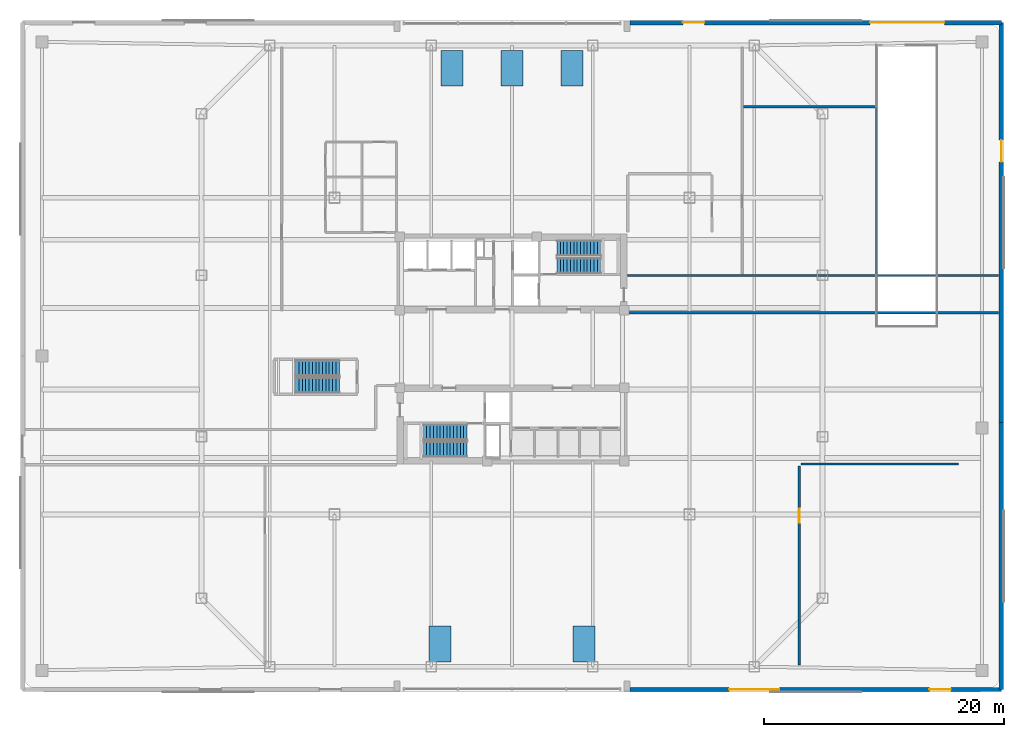
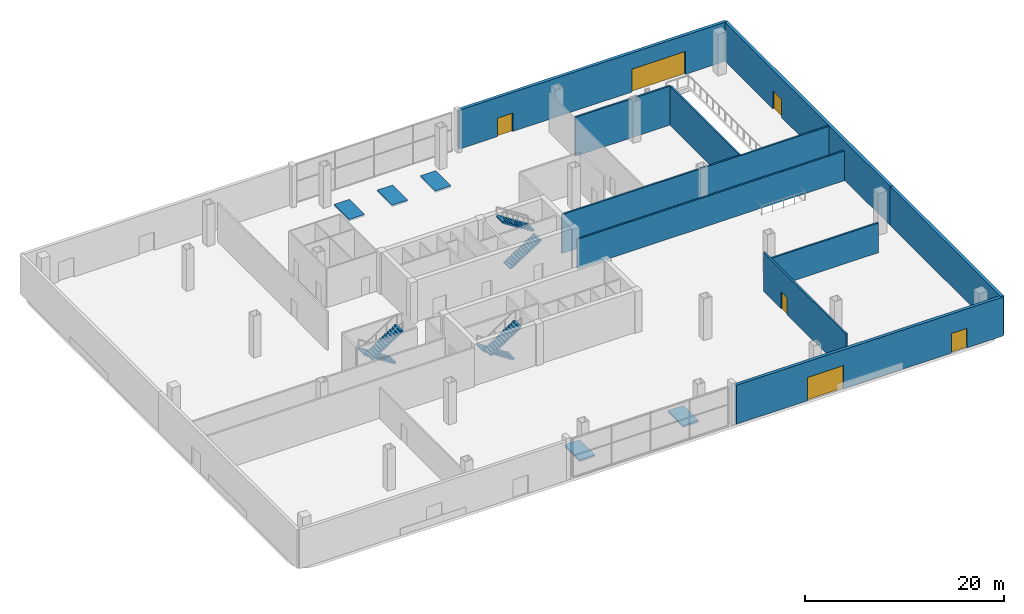
# One storey, part 14 of 21: 10 walls, 6 doors, 6 stair flights, 5 ramp flights, 6 openings, 8 elements without a shape of their own.
"""IFC4 building model written with IfcOpenShell, lengths in metres."""

from ifc_helpers import new_model, si_unit, direction, frame, frame_2d, origin, place, context, subcontext, project, spatial, polyline, rectangle, outline, extrude, material, layer, layer_set, type_object, element, fill, aggregate, save


model = new_model("IFC4")

# Units and contexts
model_context = context("Model", 3, precision=1e-05, world=origin(), true_north=direction((0.0, 1.0)))
body_context = subcontext(model_context, "Body", "Model", "MODEL_VIEW")
ifc_project = project(units=[si_unit("LENGTHUNIT", "METRE"), si_unit("AREAUNIT", "SQUARE_METRE"), si_unit("VOLUMEUNIT", "CUBIC_METRE"), si_unit("PLANEANGLEUNIT", "RADIAN"), si_unit("MASSUNIT", "GRAM", prefix="KILO")], contexts=[model_context])

# Site, building, storey
site_placement = place(None, origin())
site = spatial("IfcSite", under=ifc_project, at=site_placement, CompositionType="ELEMENT")
building_placement = place(site_placement, origin())
building = spatial("IfcBuilding", under=site, at=building_placement, Name="Qhalaya Broadcast Tower", CompositionType="ELEMENT")
storey_placement = place(building_placement, origin())
storey = spatial("IfcBuildingStorey", under=building, at=storey_placement, Name="L00", CompositionType="ELEMENT", Elevation=0.0)

# Walls
ifc_material_1 = material(Name="Gypsum Acoustic Partition")
ifc_layer_1 = layer(ifc_material_1, 0.199951171875, Name="Gypsum Acoustic Partition")
ifc_layer_set_1 = layer_set([ifc_layer_1], Name="Gypsum Acoustic Partition")
wall_type_1 = type_object("IfcWallType", Name="Firefighting Lobby & Stair Enclosure Wall 200", PredefinedType="PARTITIONING", material=ifc_layer_set_1)
wall_1_placement = place(storey_placement, frame((9.639892578125, 6.719970703125, 0.0), z_axis=(0.0, 0.0, 1.0), x_axis=(1.0, 0.0, 0.0)))
element("IfcWall", 1, at=wall_1_placement, inside=storey, type_object=wall_type_1, Name="L00 Partition Wall W-EP1N", PredefinedType="PARTITIONING", context=body_context, shape_type="SweptSolid", body=[
    extrude(rectangle(XDim=30.920166015625, YDim=0.199951171875, at=frame_2d((15.4599609375, 0.0))), origin(), (0.0, 0.0, 1.0), 4.780029296875),
])
wall_2_placement = place(storey_placement, frame((40.56005859375, 3.6201171875, 0.0), z_axis=(0.0, 0.0, 1.0), x_axis=(-1.0, 0.0, 0.0)))
element("IfcWall", 2, at=wall_2_placement, inside=storey, type_object=wall_type_1, Name="L00 Partition Wall W-EP1S", PredefinedType="PARTITIONING", context=body_context, shape_type="SweptSolid", body=[
    extrude(rectangle(XDim=30.920166015625, YDim=0.199951171875, at=frame_2d((15.4599609375, 0.0))), origin(), (0.0, 0.0, 1.0), 3.64208984375),
])

# Wall, opening, door
wall_3_placement = place(storey_placement, frame((23.949951171875, -25.739990234375, 0.0), z_axis=(0.0, 0.0, 1.0), x_axis=(0.0, 1.0, 0.0)))
wall_3 = element("IfcWall", 3, at=wall_3_placement, inside=storey, type_object=wall_type_1, Name="L00 Partition Wall W-DCKW", PredefinedType="PARTITIONING", context=body_context, shape_type="SweptSolid", body=[
    extrude(rectangle(XDim=16.580078125, YDim=0.199951171875, at=frame_2d((8.2900390625, 0.0))), origin(), (0.0, 0.0, 1.0), 4.780029296875),
])
opening_1_placement = place(wall_3_placement, frame((11.860107421875, 0.0, 0.0)))
opening_1 = element("IfcOpeningElement", 4, at=opening_1_placement, cuts=wall_3, Name="Opening D05", PredefinedType="OPENING", context=body_context, shape_type="SweptSolid", body=[
    extrude(rectangle(XDim=1.14990234375, YDim=2.10009765625, at=frame_2d((0.574951171875, 1.050048828125))), frame((0.0, 0.112060546875, 0.0), z_axis=(0.0, -1.0, 0.0), x_axis=(1.0, 0.0, 0.0)), (0.0, 0.0, 1.0), 0.223876953125),
])
ifc_material_2 = material(Name="Fire-Rated Steel Door", Category="steel")
door_type_1 = type_object("IfcDoorType", Name="Refuge & Plant Room Fire Door D05", OperationType="NOTDEFINED", PredefinedType="DOOR", material=ifc_material_2)
door_1_placement = place(opening_1_placement, origin())
door_1 = element("IfcDoor", 5, at=door_1_placement, inside=storey, type_object=door_type_1, Name="L00 Door D-DCK", OperationType="SINGLE_SWING_LEFT", OverallHeight=2.10009765625, OverallWidth=1.14990234375, PredefinedType="DOOR", context=body_context, shape_type="SweptSolid", body=[
    extrude(rectangle(XDim=1.14990234375, YDim=2.10009765625, at=frame_2d((0.574951171875, 1.050048828125))), frame((0.0, 0.02490234375, 0.0), z_axis=(0.0, -1.0, 0.0), x_axis=(1.0, 0.0, 0.0)), (0.0, 0.0, 1.0), 0.050048828125),
])
fill(opening_1, door_1)

# Walls
wall_4_placement = place(storey_placement, frame((24.110107421875, -9.0, 0.0), z_axis=(0.0, 0.0, 1.0), x_axis=(1.0, 0.0, 0.0)))
element("IfcWall", 6, at=wall_4_placement, inside=storey, type_object=wall_type_1, Name="L00 Partition Wall W-DCKN", PredefinedType="PARTITIONING", context=body_context, shape_type="SweptSolid", body=[
    extrude(rectangle(XDim=13.1298828125, YDim=0.199951171875, at=frame_2d((6.56494140625, 0.0))), origin(), (0.0, 0.0, 1.0), 3.64208984375),
])
wall_5_placement = place(storey_placement, frame((30.35009765625, 6.840087890625, 0.0), z_axis=(0.0, 0.0, 1.0), x_axis=(0.0, 1.0, 0.0)))
element("IfcWall", 7, at=wall_5_placement, inside=storey, type_object=wall_type_1, Name="L00 Partition Wall W-RMPS", PredefinedType="PARTITIONING", context=body_context, shape_type="SweptSolid", body=[
    extrude(rectangle(XDim=13.89990234375, YDim=0.199951171875, at=frame_2d((6.949951171875, 0.0))), origin(), (0.0, 0.0, 1.0), 4.780029296875),
])
wall_6_placement = place(storey_placement, frame((19.31005859375, 20.800048828125, 0.0), z_axis=(0.0, 0.0, 1.0), x_axis=(1.0, 0.0, 0.0)))
element("IfcWall", 8, at=wall_6_placement, inside=storey, type_object=wall_type_1, Name="L00 Partition Wall W-RMPN", PredefinedType="PARTITIONING", context=body_context, shape_type="SweptSolid", body=[
    extrude(rectangle(XDim=10.97998046875, YDim=0.199951171875, at=frame_2d((5.489990234375, 0.0))), origin(), (0.0, 0.0, 1.0), 4.780029296875),
])

# Wall, openings, doors
ifc_material_3 = material(Name="Precast Concrete C40/50", Category="concrete")
ifc_layer_2 = layer(ifc_material_3, 0.360107421875, Name="Precast Concrete C40/50")
ifc_layer_set_2 = layer_set([ifc_layer_2], Name="Precast Concrete C40/50")
wall_type_2 = type_object("IfcWallType", Name="Insulated Precast Terracotta Exterior Wall 360", PredefinedType="SOLIDWALL", material=ifc_layer_set_2)
wall_7_placement = place(storey_placement, frame((40.800048828125, -27.800048828125, 0.0), z_axis=(0.0, 0.0, 1.0), x_axis=(-1.0, 0.0, 0.0)))
wall_7 = element("IfcWall", 9, at=wall_7_placement, inside=storey, type_object=wall_type_2, Name="L00 Podium Exterior Terracotta Wall EW-SE", PredefinedType="SOLIDWALL", context=body_context, shape_type="SweptSolid", body=[
    extrude(rectangle(XDim=30.9599609375, YDim=0.360107421875, at=frame_2d((15.47998046875, 0.0))), origin(), (0.0, 0.0, 1.0), 4.780029296875),
])
opening_2_placement = place(wall_7_placement, frame((4.199951171875, 0.0, 0.0)))
opening_2 = element("IfcOpeningElement", 10, at=opening_2_placement, cuts=wall_7, Name="Opening D01", PredefinedType="OPENING", context=body_context, shape_type="SweptSolid", body=[
    extrude(rectangle(XDim=1.800048828125, YDim=2.39990234375, at=frame_2d((0.89990234375, 1.199951171875))), frame((0.0, 0.192138671875, 0.0), z_axis=(0.0, -1.0, 0.0), x_axis=(1.0, 0.0, 0.0)), (0.0, 0.0, 1.0), 0.384033203125),
])
opening_3_placement = place(wall_7_placement, frame((18.5, 0.0, 0.0)))
opening_3 = element("IfcOpeningElement", 11, at=opening_3_placement, cuts=wall_7, Name="Opening LDK-01", PredefinedType="OPENING", context=body_context, shape_type="SweptSolid", body=[
    extrude(rectangle(XDim=4.199951171875, YDim=2.85009765625, at=frame_2d((2.10009765625, 1.425048828125))), frame((0.0, 0.192138671875, 0.0), z_axis=(0.0, -1.0, 0.0), x_axis=(1.0, 0.0, 0.0)), (0.0, 0.0, 1.0), 0.384033203125),
])
ifc_material_4 = material(Name="Anodised Aluminium Glazed Door", Category="aluminium")
door_type_2 = type_object("IfcDoorType", Name="Concourse Revolving & Double Entrance Door D01", OperationType="DOUBLE_DOOR_SINGLE_SWING", PredefinedType="DOOR", material=ifc_material_4)
door_2_placement = place(opening_2_placement, origin())
door_2 = element("IfcDoor", 12, at=door_2_placement, inside=storey, type_object=door_type_2, Name="Ground Pedestrian Concourse Entrance ED-03", OperationType="DOUBLE_DOOR_SINGLE_SWING", OverallHeight=2.39990234375, OverallWidth=1.800048828125, PredefinedType="DOOR", context=body_context, shape_type="SweptSolid", body=[
    extrude(rectangle(XDim=1.800048828125, YDim=2.39990234375, at=frame_2d((0.89990234375, 1.199951171875))), frame((0.0, 0.02490234375, 0.0), z_axis=(0.0, -1.0, 0.0), x_axis=(1.0, 0.0, 0.0)), (0.0, 0.0, 1.0), 0.050048828125),
])
fill(opening_2, door_2)
ifc_material_5 = material(Name="Powder-Coated Galvanised Steel Gate", Category="steel")
door_type_3 = type_object("IfcDoorType", Name="Loading Dock Insulated Roller Gate LDK-01", OperationType="ROLLINGUP", PredefinedType="GATE", material=ifc_material_5)
door_3_placement = place(opening_3_placement, origin())
door_3 = element("IfcDoor", 13, at=door_3_placement, inside=storey, type_object=door_type_3, Name="Broadcast Loading Dock Roller Shutter Gate LDK-01", OperationType="ROLLINGUP", OverallHeight=2.85009765625, OverallWidth=4.199951171875, PredefinedType="GATE", context=body_context, shape_type="SweptSolid", body=[
    extrude(rectangle(XDim=4.199951171875, YDim=2.85009765625, at=frame_2d((2.10009765625, 1.425048828125))), frame((0.0, 0.02490234375, 0.0), z_axis=(0.0, -1.0, 0.0), x_axis=(1.0, 0.0, 0.0)), (0.0, 0.0, 1.0), 0.050048828125),
])
fill(opening_3, door_3)

wall_8_placement = place(storey_placement, frame((9.840087890625, 27.800048828125, 0.0), z_axis=(0.0, 0.0, 1.0), x_axis=(1.0, 0.0, 0.0)))
wall_8 = element("IfcWall", 14, at=wall_8_placement, inside=storey, type_object=wall_type_2, Name="L00 Podium Exterior Terracotta Wall EW-NE", PredefinedType="SOLIDWALL", context=body_context, shape_type="SweptSolid", body=[
    extrude(rectangle(XDim=30.9599609375, YDim=0.360107421875, at=frame_2d((15.47998046875, 0.0))), origin(), (0.0, 0.0, 1.0), 4.780029296875),
])
opening_4_placement = place(wall_8_placement, frame((20.010009765625, 0.0, 0.0)))
opening_4 = element("IfcOpeningElement", 15, at=opening_4_placement, cuts=wall_8, Name="Opening VD-01", PredefinedType="OPENING", context=body_context, shape_type="SweptSolid", body=[
    extrude(rectangle(XDim=6.199951171875, YDim=2.800048828125, at=frame_2d((3.10009765625, 1.39990234375))), frame((0.0, 0.192138671875, 0.0), z_axis=(0.0, -1.0, 0.0), x_axis=(1.0, 0.0, 0.0)), (0.0, 0.0, 1.0), 0.384033203125),
])
opening_5_placement = place(wall_8_placement, frame((4.409912109375, 0.0, 0.0)))
opening_5 = element("IfcOpeningElement", 16, at=opening_5_placement, cuts=wall_8, Name="Opening D02", PredefinedType="OPENING", context=body_context, shape_type="SweptSolid", body=[
    extrude(rectangle(XDim=1.800048828125, YDim=2.25, at=frame_2d((0.89990234375, 1.125))), frame((0.0, 0.192138671875, 0.0), z_axis=(0.0, -1.0, 0.0), x_axis=(1.0, 0.0, 0.0)), (0.0, 0.0, 1.0), 0.384033203125),
])
door_type_4 = type_object("IfcDoorType", Name="Car Park Ramp Exterior Security Gate VD-01", OperationType="ROLLINGUP", PredefinedType="GATE", material=ifc_material_5)
door_4_placement = place(opening_4_placement, origin())
door_4 = element("IfcDoor", 17, at=door_4_placement, inside=storey, type_object=door_type_4, Name="Car Park Vehicle Ramp Exterior Gate VD-01", OperationType="ROLLINGUP", OverallHeight=2.800048828125, OverallWidth=6.199951171875, PredefinedType="GATE", context=body_context, shape_type="SweptSolid", body=[
    extrude(rectangle(XDim=6.199951171875, YDim=2.800048828125, at=frame_2d((3.10009765625, 1.39990234375))), frame((0.0, 0.02490234375, 0.0), z_axis=(0.0, -1.0, 0.0), x_axis=(1.0, 0.0, 0.0)), (0.0, 0.0, 1.0), 0.050048828125),
])
fill(opening_4, door_4)
door_type_5 = type_object("IfcDoorType", Name="Ground Final Exit Double Fire Door D02", OperationType="DOUBLE_DOOR_SINGLE_SWING", PredefinedType="DOOR", material=ifc_material_2)
door_5_placement = place(opening_5_placement, origin())
door_5 = element("IfcDoor", 18, at=door_5_placement, inside=storey, type_object=door_type_5, Name="North Exit Passage Final Pedestrian Exit Door ED-06", OperationType="DOUBLE_DOOR_SINGLE_SWING", OverallHeight=2.25, OverallWidth=1.800048828125, PredefinedType="DOOR", context=body_context, shape_type="SweptSolid", body=[
    extrude(rectangle(XDim=1.800048828125, YDim=2.25, at=frame_2d((0.89990234375, 1.125))), frame((0.0, 0.02490234375, 0.0), z_axis=(0.0, -1.0, 0.0), x_axis=(1.0, 0.0, 0.0)), (0.0, 0.0, 1.0), 0.050048828125),
])
fill(opening_5, door_5)

# Wall
wall_9_placement = place(storey_placement, frame((40.800048828125, -5.550048828125, 0.0), z_axis=(0.0, 0.0, 1.0), x_axis=(0.0, -1.0, 0.0)))
element("IfcWall", 19, at=wall_9_placement, inside=storey, type_object=wall_type_2, Name="L00 Podium Exterior Terracotta Wall EW-ES", PredefinedType="SOLIDWALL", context=body_context, shape_type="SweptSolid", body=[
    extrude(rectangle(XDim=22.25, YDim=0.360107421875, at=frame_2d((11.125, 0.0))), origin(), (0.0, 0.0, 1.0), 4.780029296875),
])

# Wall, opening, door
wall_10_placement = place(storey_placement, frame((40.800048828125, 27.800048828125, 0.0), z_axis=(0.0, 0.0, 1.0), x_axis=(0.0, -1.0, 0.0)))
wall_10 = element("IfcWall", 20, at=wall_10_placement, inside=storey, type_object=wall_type_2, Name="L00 Podium Exterior Terracotta Wall EW-EN", PredefinedType="SOLIDWALL", context=body_context, shape_type="SweptSolid", body=[
    extrude(rectangle(XDim=33.35009765625, YDim=0.360107421875, at=frame_2d((16.675048828125, 0.0))), origin(), (0.0, 0.0, 1.0), 4.780029296875),
])
opening_6_placement = place(wall_10_placement, frame((9.800048828125, 0.0, 0.0)))
opening_6 = element("IfcOpeningElement", 21, at=opening_6_placement, cuts=wall_10, Name="Opening D02", PredefinedType="OPENING", context=body_context, shape_type="SweptSolid", body=[
    extrude(rectangle(XDim=1.800048828125, YDim=2.25, at=frame_2d((0.89990234375, 1.125))), frame((0.0, 0.192138671875, 0.0), z_axis=(0.0, -1.0, 0.0), x_axis=(1.0, 0.0, 0.0)), (0.0, 0.0, 1.0), 0.384033203125),
])
door_6_placement = place(opening_6_placement, origin())
door_6 = element("IfcDoor", 22, at=door_6_placement, inside=storey, type_object=door_type_5, Name="North Protected Exit Passage Final Exterior Door ED-EP1", OperationType="DOUBLE_DOOR_SINGLE_SWING", OverallHeight=2.25, OverallWidth=1.800048828125, PredefinedType="DOOR", context=body_context, shape_type="SweptSolid", body=[
    extrude(rectangle(XDim=1.800048828125, YDim=2.25, at=frame_2d((0.89990234375, 1.125))), frame((0.0, 0.02490234375, 0.0), z_axis=(0.0, -1.0, 0.0), x_axis=(1.0, 0.0, 0.0)), (0.0, 0.0, 1.0), 0.050048828125),
])
fill(opening_6, door_6)

# Stair, stair flights
ifc_material_6 = material(Name="Concrete C40/50", Category="concrete")
stair_type = type_object("IfcStairType", Name="Protected Dogleg Core Stair 5100", PredefinedType="TWO_STRAIGHT_RUN_STAIR", material=ifc_material_6)
stair_1_placement = place(storey_placement, origin())
stair_1 = element("IfcStair", 23, at=stair_1_placement, inside=storey, type_object=stair_type, Name="L00 North Core Exit Stair ST-1", PredefinedType="TWO_STRAIGHT_RUN_STAIR")
stair_flight_type = type_object("IfcStairFlightType", Name="Precast Concrete Stair Flight 5100", PredefinedType="STRAIGHT", material=ifc_material_3)
stair_flight_1_placement = place(storey_placement, frame((3.75, 7.5400390625, 0.0), z_axis=(0.0, 0.0, 1.0), x_axis=(1.0, 0.0, 0.0)))
stair_flight_1 = element("IfcStairFlight", 24, at=stair_flight_1_placement, type_object=stair_flight_type, Name="ST-1 flight 1", NumberOfRisers=14, NumberOfTreads=13, PredefinedType="STRAIGHT", RiserHeight=0.182142857, TreadLength=0.28, context=body_context, shape_type="SweptSolid", body=[
    extrude(outline(polyline([(0.0, 0.0), (0.0, 0.18212890625), (0.280029296875, 0.18212890625), (0.280029296875, 0.3642578125), (0.56005859375, 0.3642578125), (0.56005859375, 0.54638671875), (0.840087890625, 0.54638671875), (0.840087890625, 0.728515625), (1.1201171875, 0.728515625), (1.1201171875, 0.91064453125), (1.39990234375, 0.91064453125), (1.39990234375, 1.0927734375), (1.679931640625, 1.0927734375), (1.679931640625, 1.27490234375), (1.9599609375, 1.27490234375), (1.9599609375, 1.45703125), (2.239990234375, 1.45703125), (2.239990234375, 1.639404296875), (2.52001953125, 1.639404296875), (2.52001953125, 1.821533203125), (2.800048828125, 1.821533203125), (2.800048828125, 2.003662109375), (3.080078125, 2.003662109375), (3.080078125, 2.185791015625), (3.360107421875, 2.185791015625), (3.360107421875, 2.367919921875), (3.639892578125, 2.367919921875), (3.639892578125, 2.550048828125), (3.639892578125, 2.18896484375), (0.27490234375, 0.0), (0.0, 0.0)])), frame((0.0, 0.66015625, 0.0), z_axis=(0.0, -1.0, 0.0), x_axis=(1.0, 0.0, 0.0)), (0.0, 0.0, 1.0), 1.320068359375),
])
stair_flight_2_placement = place(storey_placement, frame((7.389892578125, 8.97998046875, 2.550048828125), z_axis=(0.0, 0.0, 1.0), x_axis=(-1.0, 0.0, 0.0)))
stair_flight_2 = element("IfcStairFlight", 25, at=stair_flight_2_placement, type_object=stair_flight_type, Name="ST-1 flight 2", NumberOfRisers=14, NumberOfTreads=13, PredefinedType="STRAIGHT", RiserHeight=0.182142857, TreadLength=0.28, context=body_context, shape_type="SweptSolid", body=[
    extrude(outline(polyline([(0.0, 0.0), (0.0, 0.18212890625), (0.280029296875, 0.18212890625), (0.280029296875, 0.3642578125), (0.56005859375, 0.3642578125), (0.56005859375, 0.54638671875), (0.840087890625, 0.54638671875), (0.840087890625, 0.728515625), (1.1201171875, 0.728515625), (1.1201171875, 0.91064453125), (1.39990234375, 0.91064453125), (1.39990234375, 1.0927734375), (1.679931640625, 1.0927734375), (1.679931640625, 1.27490234375), (1.9599609375, 1.27490234375), (1.9599609375, 1.45703125), (2.239990234375, 1.45703125), (2.239990234375, 1.639404296875), (2.52001953125, 1.639404296875), (2.52001953125, 1.821533203125), (2.800048828125, 1.821533203125), (2.800048828125, 2.003662109375), (3.080078125, 2.003662109375), (3.080078125, 2.185791015625), (3.360107421875, 2.185791015625), (3.360107421875, 2.367919921875), (3.639892578125, 2.367919921875), (3.639892578125, 2.550048828125), (3.639892578125, 2.18896484375), (0.27490234375, 0.0), (0.0, 0.0)])), frame((0.0, 0.66015625, 0.0), z_axis=(0.0, -1.0, 0.0), x_axis=(1.0, 0.0, 0.0)), (0.0, 0.0, 1.0), 1.320068359375),
])
aggregate(stair_1, [stair_flight_1, stair_flight_2])

stair_2_placement = place(storey_placement, origin())
stair_2 = element("IfcStair", 26, at=stair_2_placement, inside=storey, type_object=stair_type, Name="L00 South Core Exit Stair ST-2", PredefinedType="TWO_STRAIGHT_RUN_STAIR")
stair_flight_3_placement = place(storey_placement, frame((-3.75, -6.340087890625, 0.0), z_axis=(0.0, 0.0, 1.0), x_axis=(-1.0, 0.0, 0.0)))
stair_flight_3 = element("IfcStairFlight", 27, at=stair_flight_3_placement, type_object=stair_flight_type, Name="ST-2 flight 1", NumberOfRisers=14, NumberOfTreads=13, PredefinedType="STRAIGHT", RiserHeight=0.182142857, TreadLength=0.28, context=body_context, shape_type="SweptSolid", body=[
    extrude(outline(polyline([(0.0, 0.0), (0.0, 0.18212890625), (0.280029296875, 0.18212890625), (0.280029296875, 0.3642578125), (0.56005859375, 0.3642578125), (0.56005859375, 0.54638671875), (0.840087890625, 0.54638671875), (0.840087890625, 0.728515625), (1.1201171875, 0.728515625), (1.1201171875, 0.91064453125), (1.39990234375, 0.91064453125), (1.39990234375, 1.0927734375), (1.679931640625, 1.0927734375), (1.679931640625, 1.27490234375), (1.9599609375, 1.27490234375), (1.9599609375, 1.45703125), (2.239990234375, 1.45703125), (2.239990234375, 1.639404296875), (2.52001953125, 1.639404296875), (2.52001953125, 1.821533203125), (2.800048828125, 1.821533203125), (2.800048828125, 2.003662109375), (3.080078125, 2.003662109375), (3.080078125, 2.185791015625), (3.360107421875, 2.185791015625), (3.360107421875, 2.367919921875), (3.639892578125, 2.367919921875), (3.639892578125, 2.550048828125), (3.639892578125, 2.18896484375), (0.27490234375, 0.0), (0.0, 0.0)])), frame((0.0, 0.66015625, 0.0), z_axis=(0.0, -1.0, 0.0), x_axis=(1.0, 0.0, 0.0)), (0.0, 0.0, 1.0), 1.320068359375),
])
stair_flight_4_placement = place(storey_placement, frame((-7.389892578125, -7.780029296875, 2.550048828125), z_axis=(0.0, 0.0, 1.0), x_axis=(1.0, 0.0, 0.0)))
stair_flight_4 = element("IfcStairFlight", 28, at=stair_flight_4_placement, type_object=stair_flight_type, Name="ST-2 flight 2", NumberOfRisers=14, NumberOfTreads=13, PredefinedType="STRAIGHT", RiserHeight=0.182142857, TreadLength=0.28, context=body_context, shape_type="SweptSolid", body=[
    extrude(outline(polyline([(0.0, 0.0), (0.0, 0.18212890625), (0.280029296875, 0.18212890625), (0.280029296875, 0.3642578125), (0.56005859375, 0.3642578125), (0.56005859375, 0.54638671875), (0.840087890625, 0.54638671875), (0.840087890625, 0.728515625), (1.1201171875, 0.728515625), (1.1201171875, 0.91064453125), (1.39990234375, 0.91064453125), (1.39990234375, 1.0927734375), (1.679931640625, 1.0927734375), (1.679931640625, 1.27490234375), (1.9599609375, 1.27490234375), (1.9599609375, 1.45703125), (2.239990234375, 1.45703125), (2.239990234375, 1.639404296875), (2.52001953125, 1.639404296875), (2.52001953125, 1.821533203125), (2.800048828125, 1.821533203125), (2.800048828125, 2.003662109375), (3.080078125, 2.003662109375), (3.080078125, 2.185791015625), (3.360107421875, 2.185791015625), (3.360107421875, 2.367919921875), (3.639892578125, 2.367919921875), (3.639892578125, 2.550048828125), (3.639892578125, 2.18896484375), (0.27490234375, 0.0), (0.0, 0.0)])), frame((0.0, 0.66015625, 0.0), z_axis=(0.0, -1.0, 0.0), x_axis=(1.0, 0.0, 0.0)), (0.0, 0.0, 1.0), 1.320068359375),
])
aggregate(stair_2, [stair_flight_3, stair_flight_4])

stair_3_placement = place(storey_placement, origin())
stair_3 = element("IfcStair", 29, at=stair_3_placement, inside=storey, type_object=stair_type, Name="L00 Podium West Escape Stair ST-P1", PredefinedType="TWO_STRAIGHT_RUN_STAIR")
stair_flight_5_placement = place(storey_placement, frame((-14.39990234375, -1.0, 0.0), z_axis=(0.0, 0.0, 1.0), x_axis=(-1.0, 0.0, 0.0)))
stair_flight_5 = element("IfcStairFlight", 30, at=stair_flight_5_placement, type_object=stair_flight_type, Name="ST-P1 flight 1", NumberOfRisers=14, NumberOfTreads=13, PredefinedType="STRAIGHT", RiserHeight=0.182142857, TreadLength=0.28, context=body_context, shape_type="SweptSolid", body=[
    extrude(outline(polyline([(0.0, 0.0), (0.0, 0.18212890625), (0.280029296875, 0.18212890625), (0.280029296875, 0.3642578125), (0.56005859375, 0.3642578125), (0.56005859375, 0.54638671875), (0.840087890625, 0.54638671875), (0.840087890625, 0.728515625), (1.1201171875, 0.728515625), (1.1201171875, 0.91064453125), (1.39990234375, 0.91064453125), (1.39990234375, 1.0927734375), (1.679931640625, 1.0927734375), (1.679931640625, 1.27490234375), (1.9599609375, 1.27490234375), (1.9599609375, 1.45703125), (2.239990234375, 1.45703125), (2.239990234375, 1.639404296875), (2.52001953125, 1.639404296875), (2.52001953125, 1.821533203125), (2.800048828125, 1.821533203125), (2.800048828125, 2.003662109375), (3.080078125, 2.003662109375), (3.080078125, 2.185791015625), (3.360107421875, 2.185791015625), (3.360107421875, 2.367919921875), (3.639892578125, 2.367919921875), (3.639892578125, 2.550048828125), (3.639892578125, 2.18896484375), (0.27490234375, 0.0), (0.0, 0.0)])), frame((0.0, 0.66015625, 0.0), z_axis=(0.0, -1.0, 0.0), x_axis=(1.0, 0.0, 0.0)), (0.0, 0.0, 1.0), 1.320068359375),
])
stair_flight_6_placement = place(storey_placement, frame((-18.0400390625, -2.43994140625, 2.550048828125), z_axis=(0.0, 0.0, 1.0), x_axis=(1.0, 0.0, 0.0)))
stair_flight_6 = element("IfcStairFlight", 31, at=stair_flight_6_placement, type_object=stair_flight_type, Name="ST-P1 flight 2", NumberOfRisers=14, NumberOfTreads=13, PredefinedType="STRAIGHT", RiserHeight=0.182142857, TreadLength=0.28, context=body_context, shape_type="SweptSolid", body=[
    extrude(outline(polyline([(0.0, 0.0), (0.0, 0.18212890625), (0.280029296875, 0.18212890625), (0.280029296875, 0.3642578125), (0.56005859375, 0.3642578125), (0.56005859375, 0.54638671875), (0.840087890625, 0.54638671875), (0.840087890625, 0.728515625), (1.1201171875, 0.728515625), (1.1201171875, 0.91064453125), (1.39990234375, 0.91064453125), (1.39990234375, 1.0927734375), (1.679931640625, 1.0927734375), (1.679931640625, 1.27490234375), (1.9599609375, 1.27490234375), (1.9599609375, 1.45703125), (2.239990234375, 1.45703125), (2.239990234375, 1.639404296875), (2.52001953125, 1.639404296875), (2.52001953125, 1.821533203125), (2.800048828125, 1.821533203125), (2.800048828125, 2.003662109375), (3.080078125, 2.003662109375), (3.080078125, 2.185791015625), (3.360107421875, 2.185791015625), (3.360107421875, 2.367919921875), (3.639892578125, 2.367919921875), (3.639892578125, 2.550048828125), (3.639892578125, 2.18896484375), (0.27490234375, 0.0), (0.0, 0.0)])), frame((0.0, 0.66015625, 0.0), z_axis=(0.0, -1.0, 0.0), x_axis=(1.0, 0.0, 0.0)), (0.0, 0.0, 1.0), 1.320068359375),
])
aggregate(stair_3, [stair_flight_5, stair_flight_6])

# Ramp, ramp flight
ifc_material_7 = material(Name="Concrete C45/55", Category="concrete")
ramp_type = type_object("IfcRampType", Name="Accessible Concourse Step-Free Ramp AR-1", PredefinedType="STRAIGHT_RUN_RAMP", material=ifc_material_7)
ramp_1_placement = place(storey_placement, origin())
ramp_1 = element("IfcRamp", 32, at=ramp_1_placement, inside=storey, type_object=ramp_type, Name="Pedestrian Accessible Concourse Ramp AR-1", PredefinedType="STRAIGHT_RUN_RAMP")
ifc_layer_3 = layer(ifc_material_7, 0.219970703125, Name="Concrete C45/55")
ifc_layer_set_3 = layer_set([ifc_layer_3], Name="Concrete C45/55")
ramp_flight_type = type_object("IfcRampFlightType", Name="Reinforced Concrete Accessible Ramp Flight RF-2", PredefinedType="STRAIGHT", material=ifc_layer_set_3)
ramp_flight_1_placement = place(storey_placement, frame((-6.0, -25.5, 0.0), z_axis=(0.0, 0.0, 1.0), x_axis=(0.0, 1.0, 0.0)))
ramp_flight_1 = element("IfcRampFlight", 33, at=ramp_flight_1_placement, type_object=ramp_flight_type, Name="Pedestrian Accessible Ramp Flight AR-1", PredefinedType="STRAIGHT", context=body_context, shape_type="SweptSolid", body=[
    extrude(outline(polyline([(0.0, 0.0), (3.0, 0.0400390625), (3.0, -0.179931640625), (0.0, -0.219970703125), (0.0, 0.0)])), frame((0.0, 0.89990234375, 0.0), z_axis=(0.0, -1.0, 0.0), x_axis=(1.0, 0.0, 0.0)), (0.0, 0.0, 1.0), 1.800048828125),
])
aggregate(ramp_1, [ramp_flight_1])

ramp_2_placement = place(storey_placement, origin())
ramp_2 = element("IfcRamp", 34, at=ramp_2_placement, inside=storey, type_object=ramp_type, Name="Pedestrian Accessible Concourse Ramp AR-2", PredefinedType="STRAIGHT_RUN_RAMP")
ramp_flight_2_placement = place(storey_placement, frame((6.0, -25.5, 0.0), z_axis=(0.0, 0.0, 1.0), x_axis=(0.0, 1.0, 0.0)))
ramp_flight_2 = element("IfcRampFlight", 35, at=ramp_flight_2_placement, type_object=ramp_flight_type, Name="Pedestrian Accessible Ramp Flight AR-2", PredefinedType="STRAIGHT", context=body_context, shape_type="SweptSolid", body=[
    extrude(outline(polyline([(0.0, 0.0), (3.0, 0.0400390625), (3.0, -0.179931640625), (0.0, -0.219970703125), (0.0, 0.0)])), frame((0.0, 0.89990234375, 0.0), z_axis=(0.0, -1.0, 0.0), x_axis=(1.0, 0.0, 0.0)), (0.0, 0.0, 1.0), 1.800048828125),
])
aggregate(ramp_2, [ramp_flight_2])

ramp_3_placement = place(storey_placement, origin())
ramp_3 = element("IfcRamp", 36, at=ramp_3_placement, inside=storey, type_object=ramp_type, Name="Pedestrian Accessible Concourse Ramp AR-3", PredefinedType="STRAIGHT_RUN_RAMP")
ramp_flight_3_placement = place(storey_placement, frame((-5.0, 22.5, 0.0), z_axis=(0.0, 0.0, 1.0), x_axis=(0.0, 1.0, 0.0)))
ramp_flight_3 = element("IfcRampFlight", 37, at=ramp_flight_3_placement, type_object=ramp_flight_type, Name="Pedestrian Accessible Ramp Flight AR-3", PredefinedType="STRAIGHT", context=body_context, shape_type="SweptSolid", body=[
    extrude(outline(polyline([(0.0, 0.0), (3.0, 0.0400390625), (3.0, -0.179931640625), (0.0, -0.219970703125), (0.0, 0.0)])), frame((0.0, 0.89990234375, 0.0), z_axis=(0.0, -1.0, 0.0), x_axis=(1.0, 0.0, 0.0)), (0.0, 0.0, 1.0), 1.800048828125),
])
aggregate(ramp_3, [ramp_flight_3])

ramp_4_placement = place(storey_placement, origin())
ramp_4 = element("IfcRamp", 38, at=ramp_4_placement, inside=storey, type_object=ramp_type, Name="Pedestrian Accessible Concourse Ramp AR-4", PredefinedType="STRAIGHT_RUN_RAMP")
ramp_flight_4_placement = place(storey_placement, frame((0.0, 22.5, 0.0), z_axis=(0.0, 0.0, 1.0), x_axis=(0.0, 1.0, 0.0)))
ramp_flight_4 = element("IfcRampFlight", 39, at=ramp_flight_4_placement, type_object=ramp_flight_type, Name="Pedestrian Accessible Ramp Flight AR-4", PredefinedType="STRAIGHT", context=body_context, shape_type="SweptSolid", body=[
    extrude(outline(polyline([(0.0, 0.0), (3.0, 0.0400390625), (3.0, -0.179931640625), (0.0, -0.219970703125), (0.0, 0.0)])), frame((0.0, 0.89990234375, 0.0), z_axis=(0.0, -1.0, 0.0), x_axis=(1.0, 0.0, 0.0)), (0.0, 0.0, 1.0), 1.800048828125),
])
aggregate(ramp_4, [ramp_flight_4])

ramp_5_placement = place(storey_placement, origin())
ramp_5 = element("IfcRamp", 40, at=ramp_5_placement, inside=storey, type_object=ramp_type, Name="Pedestrian Accessible Concourse Ramp AR-5", PredefinedType="STRAIGHT_RUN_RAMP")
ramp_flight_5_placement = place(storey_placement, frame((5.0, 22.5, 0.0), z_axis=(0.0, 0.0, 1.0), x_axis=(0.0, 1.0, 0.0)))
ramp_flight_5 = element("IfcRampFlight", 41, at=ramp_flight_5_placement, type_object=ramp_flight_type, Name="Pedestrian Accessible Ramp Flight AR-5", PredefinedType="STRAIGHT", context=body_context, shape_type="SweptSolid", body=[
    extrude(outline(polyline([(0.0, 0.0), (3.0, 0.0400390625), (3.0, -0.179931640625), (0.0, -0.219970703125), (0.0, 0.0)])), frame((0.0, 0.89990234375, 0.0), z_axis=(0.0, -1.0, 0.0), x_axis=(1.0, 0.0, 0.0)), (0.0, 0.0, 1.0), 1.800048828125),
])
aggregate(ramp_5, [ramp_flight_5])

save(model, "model.ifc")
